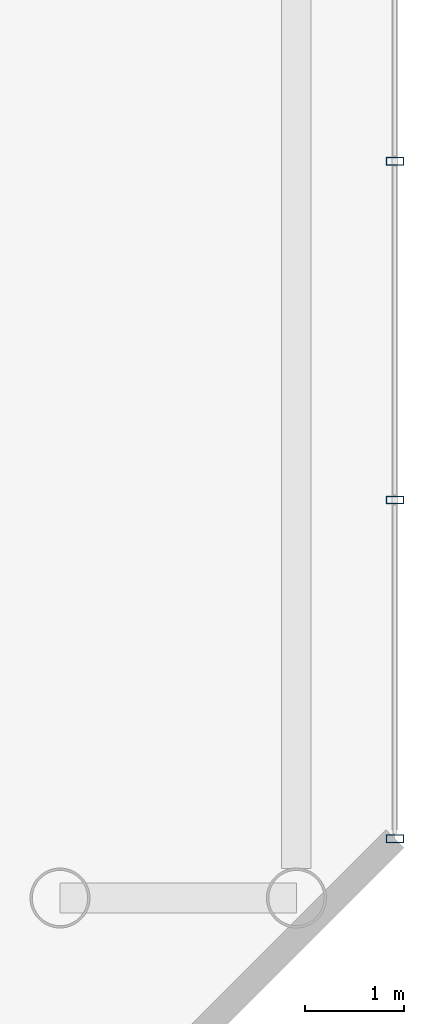
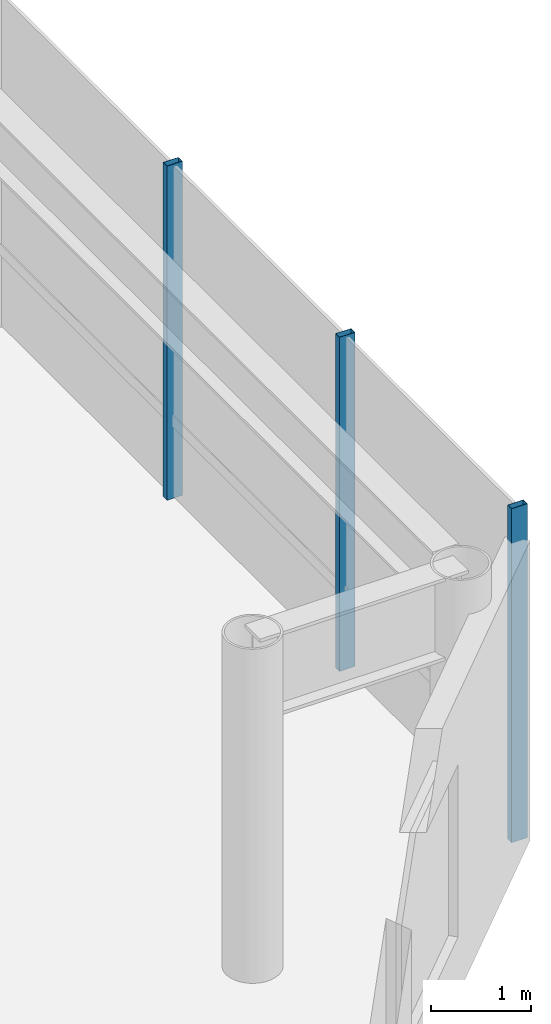
# One storey, part 23 of 33: 3 members, 1 element without a shape of its own.
"""IFC4 building model written with IfcOpenShell, lengths in metres."""

from ifc_helpers import new_model, si_unit, direction, frame, origin, origin_2d, place, context, subcontext, project, spatial, hollow_rectangle, extrude, material, layer, layer_set, material_profile, profile_set, type_object, element, aggregate, save


model = new_model("IFC4")

# Units and contexts
model_context = context("Model", 3, precision=1e-05, world=origin(), true_north=direction((0.0, 1.0)))
body_context = subcontext(model_context, "Body", "Model", "MODEL_VIEW")
ifc_project = project(units=[si_unit("LENGTHUNIT", "METRE"), si_unit("AREAUNIT", "SQUARE_METRE"), si_unit("VOLUMEUNIT", "CUBIC_METRE"), si_unit("PLANEANGLEUNIT", "RADIAN"), si_unit("MASSUNIT", "GRAM", prefix="KILO")], contexts=[model_context])

# Site, building, storey
site_placement = place(None, origin())
site = spatial("IfcSite", under=ifc_project, at=site_placement, CompositionType="ELEMENT")
building_placement = place(site_placement, origin())
building = spatial("IfcBuilding", under=site, at=building_placement, Name="Zarrinselat Tower", CompositionType="ELEMENT")
storey_placement = place(building_placement, frame((0.0, 0.0, 18.360107421875)))
storey = spatial("IfcBuildingStorey", under=building, at=storey_placement, Name="L04", CompositionType="ELEMENT", Elevation=18.360107421875)

# Curtain wall, members
ifc_material_1 = material(Name="Extruded Aluminium Alloy EN AW-6063 T6", Category="aluminium")
ifc_layer = layer(ifc_material_1, 0.2099609375)
ifc_layer_set = layer_set([ifc_layer], Name="Extruded Aluminium Alloy EN AW-6063 T6")
curtain_wall_type = type_object("IfcCurtainWallType", Name="CWS-POD", PredefinedType="NOTDEFINED", material=ifc_layer_set)
curtain_wall_placement = place(storey_placement, origin())
curtain_wall = element("IfcCurtainWall", 1, at=curtain_wall_placement, inside=storey, type_object=curtain_wall_type, Name="L04 Unitised Curtain Wall CW-L04-F3", PredefinedType="NOTDEFINED")
ifc_material_2 = material(Name="Extruded Aluminium Alloy EN AW-6063 T6", Category="aluminium")
ifc_material_profile = material_profile(ifc_material_2, hollow_rectangle(XDim=0.080078125, YDim=0.179931640625, WallThickness=0.0048828125, at=origin_2d()), Name="RHS 180x80x5")
ifc_profile_set = profile_set([ifc_material_profile], Name="Extruded Aluminium Alloy EN AW-6063 T6")
member_type = type_object("IfcMemberType", Name="MEM-CW-MUL", PredefinedType="MULLION", material=ifc_profile_set)
member_1_placement = place(storey_placement, frame((71.39990234375, 11.60009765625, 0.0), z_axis=(0.0, 0.0, 1.0), x_axis=(0.0, 1.0, 0.0)))
member_1 = element("IfcMember", 2, at=member_1_placement, type_object=member_type, Name="CW-L04-F3 Mullion 0", PredefinedType="MULLION", context=body_context, shape_type="SweptSolid", body=[
    extrude(hollow_rectangle(XDim=0.080078125, YDim=0.179931640625, WallThickness=0.0048828125, at=origin_2d()), origin(), (0.0, 0.0, 1.0), 4.06982421875),
])
member_2_placement = place(storey_placement, frame((71.39990234375, 15.0400390625, 0.0), z_axis=(0.0, 0.0, 1.0), x_axis=(0.0, 1.0, 0.0)))
member_2 = element("IfcMember", 3, at=member_2_placement, type_object=member_type, Name="CW-L04-F3 Mullion 1", PredefinedType="MULLION", context=body_context, shape_type="SweptSolid", body=[
    extrude(hollow_rectangle(XDim=0.080078125, YDim=0.179931640625, WallThickness=0.0048828125, at=origin_2d()), origin(), (0.0, 0.0, 1.0), 4.06982421875),
])
member_3_placement = place(storey_placement, frame((71.39990234375, 18.47998046875, 0.0), z_axis=(0.0, 0.0, 1.0), x_axis=(0.0, 1.0, 0.0)))
member_3 = element("IfcMember", 4, at=member_3_placement, type_object=member_type, Name="CW-L04-F3 Mullion 2", PredefinedType="MULLION", context=body_context, shape_type="SweptSolid", body=[
    extrude(hollow_rectangle(XDim=0.080078125, YDim=0.179931640625, WallThickness=0.0048828125, at=origin_2d()), origin(), (0.0, 0.0, 1.0), 4.06982421875),
])
aggregate(curtain_wall, [member_1, member_2, member_3])

save(model, "model.ifc")
